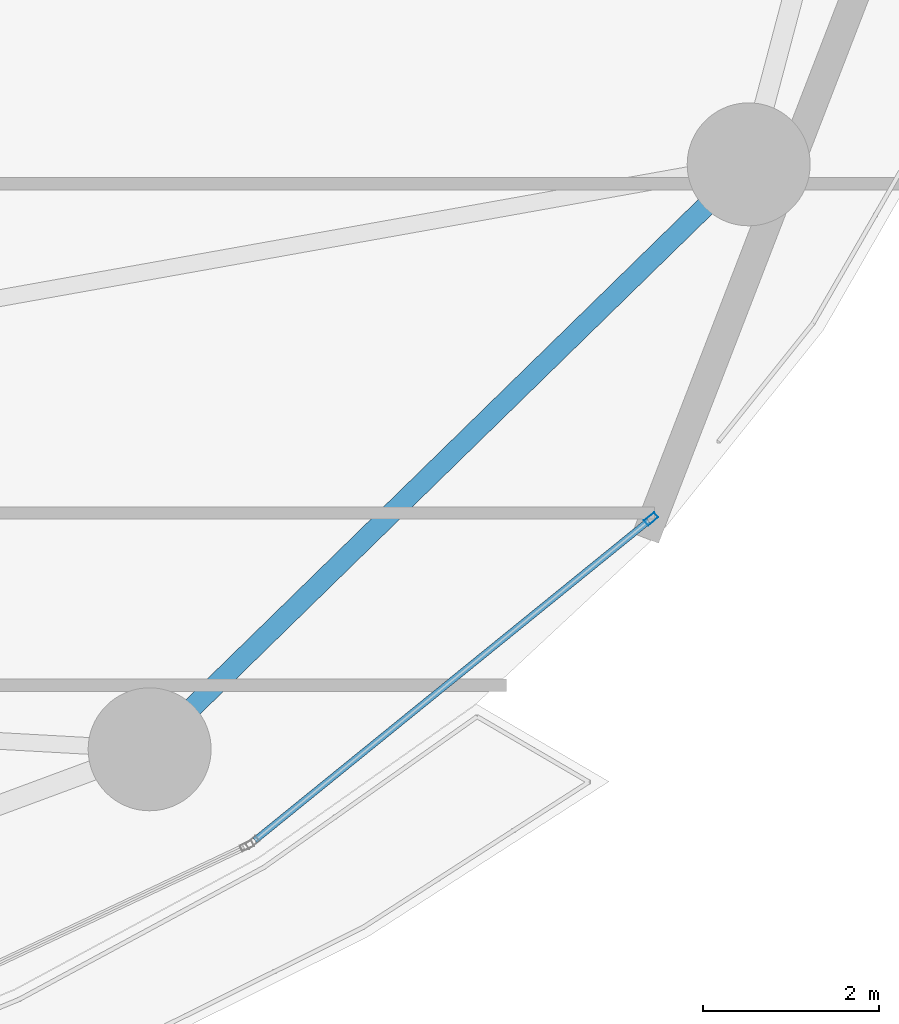
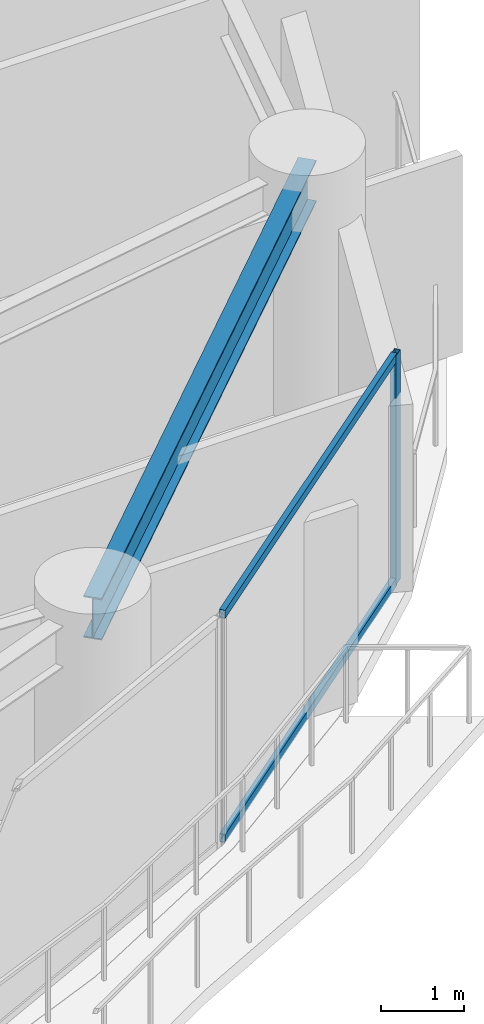
# One storey, part 15 of 30: 3 members, 1 beam, 1 element without a shape of its own.
"""IFC4 building model written with IfcOpenShell, lengths in metres."""

from ifc_helpers import new_model, si_unit, direction, frame, origin, origin_2d, place, context, subcontext, project, spatial, hollow_rectangle, i_section, extrude, material, layer, layer_set, material_profile, profile_set, type_object, element, aggregate, save


model = new_model("IFC4")

# Units and contexts
model_context = context("Model", 3, precision=1e-05, world=origin(), true_north=direction((0.0, 1.0)))
body_context = subcontext(model_context, "Body", "Model", "MODEL_VIEW")
ifc_project = project(units=[si_unit("LENGTHUNIT", "METRE"), si_unit("AREAUNIT", "SQUARE_METRE"), si_unit("VOLUMEUNIT", "CUBIC_METRE"), si_unit("PLANEANGLEUNIT", "RADIAN"), si_unit("MASSUNIT", "GRAM", prefix="KILO")], contexts=[model_context])

# Site, building, storey
site_placement = place(None, origin())
site = spatial("IfcSite", under=ifc_project, at=site_placement, CompositionType="ELEMENT")
building_placement = place(site_placement, origin())
building = spatial("IfcBuilding", under=site, at=building_placement, Name="Kazevale Care Tower and Concert Hall", CompositionType="ELEMENT")
storey_placement = place(building_placement, frame((0.0, 0.0, 74.39990234375)))
storey = spatial("IfcBuildingStorey", under=building, at=storey_placement, Name="L19", CompositionType="ELEMENT", Elevation=74.39990234375)

# Curtain wall, members
ifc_material_1 = material(Name="Aluminium 6063-T6 and Low-E Glass", Category="aluminium")
ifc_layer = layer(ifc_material_1, 0.179931640625)
ifc_layer_set = layer_set([ifc_layer], Name="Aluminium 6063-T6 and Low-E Glass")
curtain_wall_type = type_object("IfcCurtainWallType", Name="Sheltered Concave Balcony Curtain Wall CW-5", PredefinedType="NOTDEFINED", material=ifc_layer_set)
curtain_wall_placement = place(storey_placement, origin())
curtain_wall = element("IfcCurtainWall", 1, at=curtain_wall_placement, inside=storey, type_object=curtain_wall_type, Name="cw:L19:f02", PredefinedType="NOTDEFINED")
ifc_material_2 = material(Name="Aluminium 6063-T6", Category="aluminium")
ifc_material_profile_1 = material_profile(ifc_material_2, hollow_rectangle(XDim=0.074951171875, YDim=0.14990234375, WallThickness=0.00390625, at=origin_2d()), Name="ALU75x150x4")
ifc_profile_set_1 = profile_set([ifc_material_profile_1], Name="Aluminium 6063-T6")
member_type_1 = type_object("IfcMemberType", Name="CW-5 Mullion ALU75x150x4", PredefinedType="MULLION", material=ifc_profile_set_1)
member_1_placement = place(storey_placement, frame((72.949951171875, 24.933349609375, 0.0), z_axis=(0.0, 0.0, 1.0), x_axis=(0.629994732952, -0.77659940539, 0.0)))
member_1 = element("IfcMember", 2, at=member_1_placement, type_object=member_type_1, Name="CW-5 mullion 1", PredefinedType="MULLION", context=body_context, shape_type="SweptSolid", body=[
    extrude(hollow_rectangle(XDim=0.074951171875, YDim=0.14990234375, WallThickness=0.00390625, at=origin_2d()), origin(), (0.0, 0.0, 1.0), 3.360107421875),
])
ifc_material_profile_2 = material_profile(ifc_material_2, hollow_rectangle(XDim=0.074951171875, YDim=0.1201171875, WallThickness=0.00390625, at=origin_2d()), Name="ALU75x120x4")
ifc_profile_set_2 = profile_set([ifc_material_profile_2], Name="Aluminium 6063-T6")
member_type_2 = type_object("IfcMemberType", Name="CW-5 Transom ALU75x120x4", PredefinedType="USERDEFINED", material=ifc_profile_set_2)
member_2_placement = place(storey_placement, frame((72.920654296875, 24.90966796875, 0.03759765625), z_axis=(-0.77659518273, -0.629999938223, 0.0), x_axis=(0.629999938223, -0.77659518273, 0.0)))
member_2 = element("IfcMember", 3, at=member_2_placement, type_object=member_type_2, Name="CW-5 transom 1.1", ObjectType="TRANSOM", PredefinedType="USERDEFINED", context=body_context, shape_type="SweptSolid", body=[
    extrude(hollow_rectangle(XDim=0.074951171875, YDim=0.1201171875, WallThickness=0.00390625, at=origin_2d()), origin(), (0.0, 0.0, 1.0), 5.770751953125),
])
member_3_placement = place(storey_placement, frame((72.920654296875, 24.90966796875, 3.322509765625), z_axis=(-0.77659518273, -0.629999938223, 0.0), x_axis=(0.629999938223, -0.77659518273, 0.0)))
member_3 = element("IfcMember", 4, at=member_3_placement, type_object=member_type_2, Name="CW-5 transom 1.2", ObjectType="TRANSOM", PredefinedType="USERDEFINED", context=body_context, shape_type="SweptSolid", body=[
    extrude(hollow_rectangle(XDim=0.074951171875, YDim=0.1201171875, WallThickness=0.00390625, at=origin_2d()), origin(), (0.0, 0.0, 1.0), 5.770751953125),
])
aggregate(curtain_wall, [member_1, member_2, member_3])

# Beam
ifc_material_3 = material(Name="Steel ASTM A572 Gr 50", Category="steel")
ifc_material_profile_3 = material_profile(ifc_material_3, i_section(OverallWidth=0.22900390625, OverallDepth=0.612060546875, WebThickness=0.011962890625, FlangeThickness=0.01953125, at=origin_2d()), Name="W610x125")
ifc_profile_set_3 = profile_set([ifc_material_profile_3], Name="Steel ASTM A572 Gr 50")
beam_type = type_object("IfcBeamType", Name="Ring Spandrel Beam W610x125", PredefinedType="SPANDREL", material=ifc_profile_set_3)
beam_placement = place(storey_placement, frame((67.239990234375, 22.31005859375, 3.05419921875), z_axis=(0.715457453508, 0.698656304788, 0.0), x_axis=(-0.698656304788, 0.715457453508, 0.0)))
element("IfcBeam", 5, at=beam_placement, inside=storey, type_object=beam_type, Name="beam:L19:ring:15", PredefinedType="SPANDREL", context=body_context, shape_type="SweptSolid", body=[
    extrude(i_section(OverallWidth=0.22900390625, OverallDepth=0.612060546875, WebThickness=0.011962890625, FlangeThickness=0.01953125, at=origin_2d()), origin(), (0.0, 0.0, 1.0), 9.532470703125),
])

save(model, "model.ifc")
